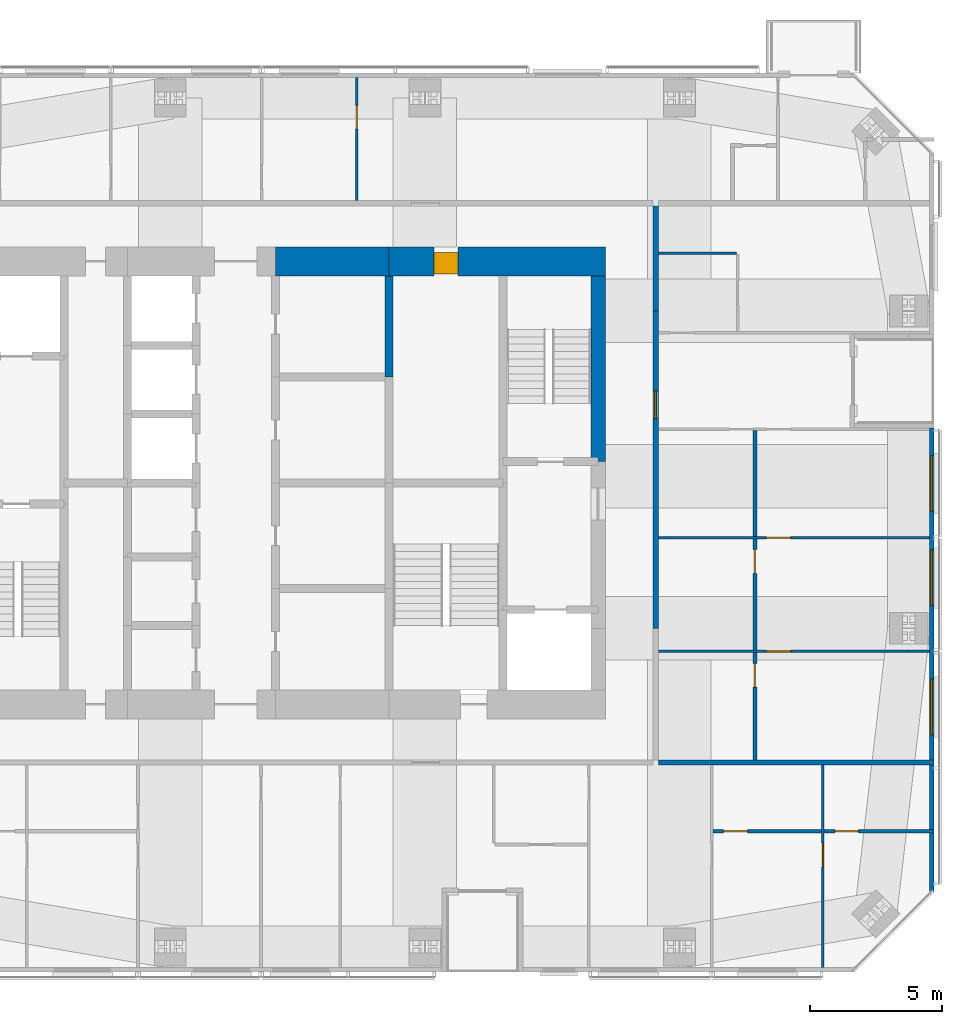
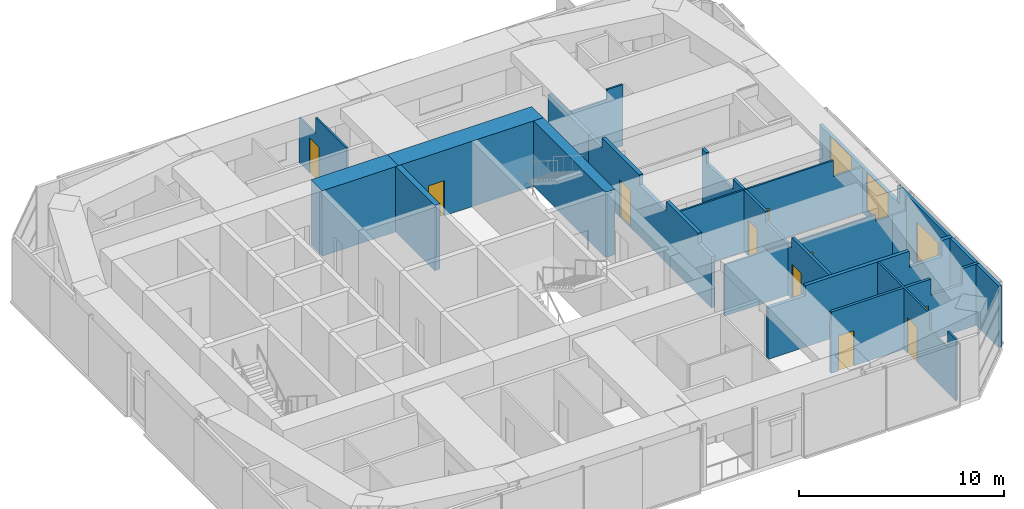
# One storey, part 17 of 20: 19 walls, 10 doors, 3 windows, 13 openings.
"""IFC4 building model written with IfcOpenShell, lengths in metres."""

import ifcopenshell
import ifcopenshell.guid

model = None  # the IFC model being written
_history = None  # IfcOwnerHistory: only IFC2X3 demands one
_inside = {}  # id of a spatial element -> (the spatial element, [elements in it])
_under = {}  # id of a project, library or spatial element -> (it, [spatial elements below it])
_declared = {}  # id of a project -> (the project, [libraries it declares])
_typed = {}  # id of a type object -> (the type object, [elements of that type])
_made_of = {}  # id of a material, layer set ... -> (it, [elements and type objects made of it])


def new_model(schema):
    """Start an empty IFC model of exactly this schema.

    Asked for "IFC4X3", IfcOpenShell would pick the latest addendum, in which some entities
    have other attributes; the version numbers below select the first issue.
    IFC2X3 requires an IfcOwnerHistory on every rooted entity: one is made here for all.
    """
    global model, _history
    if schema == "IFC4X3":
        model = ifcopenshell.file(schema_version=(4, 3, 0, 0))
    else:
        model = ifcopenshell.file(schema=schema)
    _inside.clear()
    _under.clear()
    _declared.clear()
    _typed.clear()
    _made_of.clear()
    _history = None
    if model.schema == "IFC2X3":
        org = make("IfcOrganization", Name="unknown")
        user = make(
            "IfcPersonAndOrganization",
            ThePerson=make("IfcPerson", FamilyName="unknown"),
            TheOrganization=org,
        )
        app = make(
            "IfcApplication",
            ApplicationDeveloper=org,
            Version="unknown",
            ApplicationFullName="unknown",
            ApplicationIdentifier="unknown",
        )
        _history = make(
            "IfcOwnerHistory",
            OwningUser=user,
            OwningApplication=app,
            ChangeAction="ADDED",
            CreationDate=0,
        )
    return model


def make(cls, **values):
    """One entity of the class cls with the attributes given. An attribute that is None is left unset."""
    return model.create_entity(
        cls, **{name: value for name, value in values.items() if value is not None}
    )


def rooted(cls, **values):
    """An entity with a GlobalId (a new one), such as an element, a storey or a relation."""
    return make(cls, GlobalId=ifcopenshell.guid.new(), OwnerHistory=_history, **values)


def si_unit(unit_type, name, prefix=None):
    """IfcSIUnit, for example si_unit("LENGTHUNIT", "METRE", prefix="MILLI")."""
    return make("IfcSIUnit", UnitType=unit_type, Prefix=prefix, Name=name)


def assignment(units):
    """IfcUnitAssignment: the units of a project."""
    return None if units is None else make("IfcUnitAssignment", Units=units)


def point(xyz):
    """IfcCartesianPoint."""
    return None if xyz is None else make("IfcCartesianPoint", Coordinates=xyz)


def direction(xyz):
    """IfcDirection."""
    return None if xyz is None else make("IfcDirection", DirectionRatios=xyz)


def frame(location, z_axis=None, x_axis=None):
    """IfcAxis2Placement3D, a coordinate frame: its origin and axes. An axis left out is left unset."""
    return make(
        "IfcAxis2Placement3D",
        Location=point(location),
        Axis=direction(z_axis),
        RefDirection=direction(x_axis),
    )


def frame_2d(location, x_axis=None):
    """IfcAxis2Placement2D, a coordinate frame in the plane: its origin and x axis."""
    return make(
        "IfcAxis2Placement2D", Location=point(location), RefDirection=direction(x_axis)
    )


def origin():
    """The frame at (0, 0, 0) with its axes left unset."""
    return frame((0.0, 0.0, 0.0))


def place(relative_to, where):
    """IfcLocalPlacement: puts the frame where relative to a parent placement (None: the world)."""
    return make(
        "IfcLocalPlacement", PlacementRelTo=relative_to, RelativePlacement=where
    )


def context(
    kind, dimensions, precision=None, world=None, true_north=None, identifier=None
):
    """IfcGeometricRepresentationContext, for example the 3D "Model" context."""
    return make(
        "IfcGeometricRepresentationContext",
        ContextIdentifier=identifier,
        ContextType=kind,
        CoordinateSpaceDimension=dimensions,
        Precision=precision,
        WorldCoordinateSystem=world,
        TrueNorth=true_north,
    )


def subcontext(parent, identifier, kind, view, scale=None):
    """IfcGeometricRepresentationSubContext, for example "Body" below "Model"."""
    return make(
        "IfcGeometricRepresentationSubContext",
        ContextIdentifier=identifier,
        ContextType=kind,
        ParentContext=parent,
        TargetScale=scale,
        TargetView=view,
    )


def project(units=None, contexts=None):
    """IfcProject with its units and contexts."""
    return rooted(
        "IfcProject",
        Name="project",
        RepresentationContexts=contexts,
        UnitsInContext=assignment(units),
    )


def spatial(cls, under=None, at=None, **own):
    """A site, building, storey or space (cls), placed at a placement, below another one or the project."""
    s = rooted(cls, ObjectPlacement=at, **own)
    if under is not None:
        _under.setdefault(under.id(), (under, []))[1].append(s)
    return s


def polyline(points):
    """IfcPolyline through the points."""
    return make("IfcPolyline", Points=[point(p) for p in points])


def profile(cls, at=None, kind="AREA", **sizes):
    """A parametric profile (cls). Its sizes go by their IFC names, for example OverallWidth=200.0."""
    return make(cls, ProfileType=kind, Position=at, **sizes)


def rectangle(**sizes):
    """IfcRectangleProfileDef."""
    return profile("IfcRectangleProfileDef", **sizes)


def outline(outer, holes=None, kind="AREA"):
    """IfcArbitraryClosedProfileDef: a profile drawn as a closed curve; with holes, ...WithVoids."""
    if holes is None:
        return make("IfcArbitraryClosedProfileDef", ProfileType=kind, OuterCurve=outer)
    return make(
        "IfcArbitraryProfileDefWithVoids",
        ProfileType=kind,
        OuterCurve=outer,
        InnerCurves=holes,
    )


def extrude(swept, where, along, depth):
    """IfcExtrudedAreaSolid: the profile swept, set in the frame where, extruded along a direction by depth."""
    return make(
        "IfcExtrudedAreaSolid",
        SweptArea=swept,
        Position=where,
        ExtrudedDirection=direction(along),
        Depth=depth,
    )


def shape(context_of_items, identifier, shape_type, items):
    """IfcShapeRepresentation: the items that make up one representation, for example the "Body"."""
    return make(
        "IfcShapeRepresentation",
        ContextOfItems=context_of_items,
        RepresentationIdentifier=identifier,
        RepresentationType=shape_type,
        Items=items,
    )


def material(Name=None, Category=None):
    """IfcMaterial."""
    return make("IfcMaterial", Name=Name, Category=Category)


def layer(
    of_material, thickness, ventilated=None, Name=None, Category=None, Priority=None
):
    """IfcMaterialLayer: one layer of a wall or slab, of a material (None: an air gap)."""
    return make(
        "IfcMaterialLayer",
        Material=of_material,
        LayerThickness=thickness,
        IsVentilated=ventilated,
        Name=Name,
        Category=Category,
        Priority=Priority,
    )


def layer_set(layers, Name=None):
    """IfcMaterialLayerSet."""
    return make("IfcMaterialLayerSet", MaterialLayers=layers, LayerSetName=Name)


def constituent(of_material, Name=None, Category=None, fraction=None):
    """IfcMaterialConstituent: one of the materials an element consists of."""
    return make(
        "IfcMaterialConstituent",
        Name=Name,
        Material=of_material,
        Fraction=fraction,
        Category=Category,
    )


def constituent_set(constituents=None, Name=None):
    """IfcMaterialConstituentSet."""
    return make(
        "IfcMaterialConstituentSet", Name=Name, MaterialConstituents=constituents
    )


def made_of(thing, what):
    """Note that an element or type object is made of a material, layer set ...; save() writes the relation."""
    if what is not None:
        _made_of.setdefault(what.id(), (what, []))[1].append(thing)
    return thing


def type_object(cls, material=None, **own):
    """A type object (cls), such as IfcWallType, which elements share."""
    return made_of(rooted(cls, **own), material)


def element(
    cls,
    number,
    at=None,
    inside=None,
    cuts=None,
    type_object=None,
    material=None,
    context=None,
    identifier="Body",
    shape_type=None,
    held_by="IfcProductDefinitionShape",
    body=None,
    shapes=None,
    **own,
):
    """One element of the class cls, such as IfcWall. Its Tag is "e" and its number.

    at: its placement. inside: the storey or other place that contains it. cuts: it is an
    opening in that element (IfcRelVoidsElement). A single representation is given by context,
    identifier, shape_type and body (its items); several are given by shapes. held_by: the class
    of the entity that holds the representations. save() writes the other relations.
    """
    e = rooted(cls, Tag="e%d" % number, ObjectPlacement=at, **own)
    if body is not None:
        shapes = [shape(context, identifier, shape_type, body)]
    if shapes is not None:
        e.Representation = make(held_by, Representations=shapes)
    if inside is not None:
        _inside.setdefault(inside.id(), (inside, []))[1].append(e)
    if cuts is not None:
        rooted(
            "IfcRelVoidsElement", RelatingBuildingElement=cuts, RelatedOpeningElement=e
        )
    if type_object is not None:
        _typed.setdefault(type_object.id(), (type_object, []))[1].append(e)
    return made_of(e, material)


def fill(opening, filler):
    """IfcRelFillsElement: the door or window that sits in an opening."""
    return rooted(
        "IfcRelFillsElement",
        RelatingOpeningElement=opening,
        RelatedBuildingElement=filler,
    )


def aggregate(whole, parts):
    """IfcRelAggregates: a whole, such as a stair, and the parts it consists of."""
    return rooted("IfcRelAggregates", RelatingObject=whole, RelatedObjects=parts)


def save(model, path):
    """Write the relations noted so far, then the file.

    IfcRelAggregates (storeys below a building ...), IfcRelContainedInSpatialStructure (elements
    in a storey), IfcRelDefinesByType, IfcRelAssociatesMaterial and IfcRelDeclares: one each for
    every whole, place, type object, material and project.
    """
    for whole, parts in _under.values():
        aggregate(whole, parts)
    for where, things in _inside.values():
        rooted(
            "IfcRelContainedInSpatialStructure",
            RelatedElements=things,
            RelatingStructure=where,
        )
    for kind, things in _typed.values():
        rooted("IfcRelDefinesByType", RelatedObjects=things, RelatingType=kind)
    for what, things in _made_of.values():
        rooted("IfcRelAssociatesMaterial", RelatedObjects=things, RelatingMaterial=what)
    for by, libraries in _declared.values():
        rooted("IfcRelDeclares", RelatingContext=by, RelatedDefinitions=libraries)
    model.write(path)


model = new_model("IFC4")

# Units and contexts
model_context = context("Model", 3, precision=1e-05, world=origin(), true_north=direction((0.0, 1.0)))
body_context = subcontext(model_context, "Body", "Model", "MODEL_VIEW")
ifc_project = project(units=[si_unit("LENGTHUNIT", "METRE"), si_unit("AREAUNIT", "SQUARE_METRE"), si_unit("VOLUMEUNIT", "CUBIC_METRE"), si_unit("PLANEANGLEUNIT", "RADIAN"), si_unit("MASSUNIT", "GRAM", prefix="KILO")], contexts=[model_context])

# Site, building, storey
site_placement = place(None, origin())
site = spatial("IfcSite", under=ifc_project, at=site_placement, CompositionType="ELEMENT")
building_placement = place(site_placement, origin())
building = spatial("IfcBuilding", under=site, at=building_placement, Name="Jalousie Tower", CompositionType="ELEMENT")
storey_placement = place(building_placement, frame((0.0, 0.0, 259.949951171875)))
storey = spatial("IfcBuildingStorey", under=building, at=storey_placement, Name="L71", CompositionType="ELEMENT", Elevation=259.949951171875)

# Wall, opening, door
ifc_material_1 = material(Name="Concrete block ASTM C90", Category="concrete")
ifc_constituent_1 = constituent(ifc_material_1, Name="Body")
ifc_material_2 = material(Name="Render")
ifc_constituent_2 = constituent(ifc_material_2, Name="Finish")
ifc_constituent_set_1 = constituent_set(constituents=[ifc_constituent_1, ifc_constituent_2])
wall_type_1 = type_object("IfcWallType", Name="BATHROOM WALL 150", PredefinedType="PLUMBINGWALL", material=ifc_constituent_set_1)
wall_1_placement = place(storey_placement, frame((48.14990234375, 5.324951171875, 0.0), z_axis=(0.0, 0.0, 1.0), x_axis=(1.0, 0.0, 0.0)))
wall_1 = element("IfcWall", 1, at=wall_1_placement, inside=storey, type_object=wall_type_1, Name="Bathroom Wall 150 L71", PredefinedType="PLUMBINGWALL", context=body_context, shape_type="SweptSolid", body=[
    extrude(outline(polyline([(0.0, 0.0), (4.10009765625, 0.0), (4.10009765625, 3.66015625), (0.010009765625, 3.66015625), (0.010009765625, 3.06005859375), (0.0, 3.06005859375), (0.0, 3.66015625), (0.0, 0.0)])), frame((0.0, 0.074951171875, 0.0), z_axis=(0.0, -1.0, 0.0), x_axis=(1.0, 0.0, 0.0)), (0.0, 0.0, 1.0), 0.14990234375),
])
opening_1_placement = place(wall_1_placement, frame((0.39990234375, 0.0, 0.0)))
opening_1 = element("IfcOpeningElement", 2, at=opening_1_placement, cuts=wall_1, Name="Opening D3", PredefinedType="OPENING", context=body_context, shape_type="SweptSolid", body=[
    extrude(rectangle(XDim=0.89990234375, YDim=2.10009765625, at=frame_2d((0.449951171875, 1.050048828125))), frame((0.0, 0.0849609375, 0.0), z_axis=(0.0, -1.0, 0.0), x_axis=(1.0, 0.0, 0.0)), (0.0, 0.0, 1.0), 0.169921875),
])
ifc_material_3 = material(Name="Timber door", Category="wood")
door_type_1 = type_object("IfcDoorType", Name="BATHROOM DOOR 900", OperationType="SINGLE_SWING_LEFT", PredefinedType="DOOR", material=ifc_material_3)
door_1_placement = place(opening_1_placement, origin())
door_1 = element("IfcDoor", 3, at=door_1_placement, inside=storey, type_object=door_type_1, Name="Apartment 7101 bedroom 3 bathroom door", OperationType="SINGLE_SWING_LEFT", OverallHeight=2.10009765625, OverallWidth=0.89990234375, PredefinedType="DOOR", context=body_context, shape_type="SweptSolid", body=[
    extrude(rectangle(XDim=0.89990234375, YDim=2.10009765625, at=frame_2d((0.449951171875, 1.050048828125))), frame((0.0, 0.02490234375, 0.0), z_axis=(0.0, -1.0, 0.0), x_axis=(1.0, 0.0, 0.0)), (0.0, 0.0, 1.0), 0.050048828125),
])
fill(opening_1, door_1)

wall_2_placement = place(storey_placement, frame((52.35009765625, 5.324951171875, 0.0), z_axis=(0.0, 0.0, 1.0), x_axis=(1.0, 0.0, 0.0)))
wall_2 = element("IfcWall", 4, at=wall_2_placement, inside=storey, type_object=wall_type_1, Name="Bathroom Wall 150 L71", PredefinedType="PLUMBINGWALL", context=body_context, shape_type="SweptSolid", body=[
    extrude(outline(polyline([(0.0, 0.0), (4.14990234375, 0.0), (4.14990234375, 3.66015625), (3.197021484375, 3.66015625), (3.197021484375, 2.699951171875), (1.4150390625, 2.699951171875), (1.4150390625, 3.66015625), (0.0, 3.66015625), (0.0, 0.0)])), frame((0.0, 0.074951171875, 0.0), z_axis=(0.0, -1.0, 0.0), x_axis=(1.0, 0.0, 0.0)), (0.0, 0.0, 1.0), 0.14990234375),
])
opening_2_placement = place(wall_2_placement, frame((0.39990234375, 0.0, 0.0)))
opening_2 = element("IfcOpeningElement", 5, at=opening_2_placement, cuts=wall_2, Name="Opening D3", PredefinedType="OPENING", context=body_context, shape_type="SweptSolid", body=[
    extrude(rectangle(XDim=0.89990234375, YDim=2.10009765625, at=frame_2d((0.449951171875, 1.050048828125))), frame((0.0, 0.0849609375, 0.0), z_axis=(0.0, -1.0, 0.0), x_axis=(1.0, 0.0, 0.0)), (0.0, 0.0, 1.0), 0.169921875),
])
door_2_placement = place(opening_2_placement, origin())
door_2 = element("IfcDoor", 6, at=door_2_placement, inside=storey, type_object=door_type_1, Name="Apartment 7101 bedroom 4 bathroom door", OperationType="SINGLE_SWING_LEFT", OverallHeight=2.10009765625, OverallWidth=0.89990234375, PredefinedType="DOOR", context=body_context, shape_type="SweptSolid", body=[
    extrude(rectangle(XDim=0.89990234375, YDim=2.10009765625, at=frame_2d((0.449951171875, 1.050048828125))), frame((0.0, 0.02490234375, 0.0), z_axis=(0.0, -1.0, 0.0), x_axis=(1.0, 0.0, 0.0)), (0.0, 0.0, 1.0), 0.050048828125),
])
fill(opening_2, door_2)

wall_3_placement = place(storey_placement, frame((49.72509765625, 8.02490234375, 0.0), z_axis=(0.0, 0.0, 1.0), x_axis=(0.0, 1.0, 0.0)))
wall_3 = element("IfcWall", 7, at=wall_3_placement, inside=storey, type_object=wall_type_1, Name="Bathroom Wall 150 L71", PredefinedType="PLUMBINGWALL", context=body_context, shape_type="SweptSolid", body=[
    extrude(outline(polyline([(0.0, 0.0), (4.050048828125, 0.0), (4.050048828125, 3.66015625), (4.050048828125, 3.06005859375), (3.68994140625, 3.06005859375), (3.68994140625, 3.66015625), (0.0, 3.66015625), (0.0, 0.0)])), frame((0.0, 0.074951171875, 0.0), z_axis=(0.0, -1.0, 0.0), x_axis=(1.0, 0.0, 0.0)), (0.0, 0.0, 1.0), 0.14990234375),
])
opening_3_placement = place(wall_3_placement, frame((2.75, 0.0, 0.0)))
opening_3 = element("IfcOpeningElement", 8, at=opening_3_placement, cuts=wall_3, Name="Opening D3", PredefinedType="OPENING", context=body_context, shape_type="SweptSolid", body=[
    extrude(rectangle(XDim=0.89990234375, YDim=2.10009765625, at=frame_2d((0.449951171875, 1.050048828125))), frame((0.0, 0.0849609375, 0.0), z_axis=(0.0, -1.0, 0.0), x_axis=(1.0, 0.0, 0.0)), (0.0, 0.0, 1.0), 0.169921875),
])
door_3_placement = place(opening_3_placement, origin())
door_3 = element("IfcDoor", 9, at=door_3_placement, inside=storey, type_object=door_type_1, Name="Apartment 7103 bedroom 1 bathroom door", OperationType="SINGLE_SWING_RIGHT", OverallHeight=2.10009765625, OverallWidth=0.89990234375, PredefinedType="DOOR", context=body_context, shape_type="SweptSolid", body=[
    extrude(rectangle(XDim=0.89990234375, YDim=2.10009765625, at=frame_2d((0.449951171875, 1.050048828125))), frame((0.0, 0.02490234375, 0.0), z_axis=(0.0, -1.0, 0.0), x_axis=(1.0, 0.0, 0.0)), (0.0, 0.0, 1.0), 0.050048828125),
])
fill(opening_3, door_3)

wall_4_placement = place(storey_placement, frame((49.72509765625, 12.175048828125, 0.0), z_axis=(0.0, 0.0, 1.0), x_axis=(0.0, 1.0, 0.0)))
wall_4 = element("IfcWall", 10, at=wall_4_placement, inside=storey, type_object=wall_type_1, Name="Bathroom Wall 150 L71", PredefinedType="PLUMBINGWALL", context=body_context, shape_type="SweptSolid", body=[
    extrude(outline(polyline([(0.0, 0.0), (4.199951171875, 0.0), (4.199951171875, 3.66015625), (2.110107421875, 3.66015625), (2.110107421875, 3.06005859375), (0.0, 3.06005859375), (0.0, 3.66015625), (0.0, 0.0)])), frame((0.0, 0.074951171875, 0.0), z_axis=(0.0, -1.0, 0.0), x_axis=(1.0, 0.0, 0.0)), (0.0, 0.0, 1.0), 0.14990234375),
])
opening_4_placement = place(wall_4_placement, frame((2.89990234375, 0.0, 0.0)))
opening_4 = element("IfcOpeningElement", 11, at=opening_4_placement, cuts=wall_4, Name="Opening D3", PredefinedType="OPENING", context=body_context, shape_type="SweptSolid", body=[
    extrude(rectangle(XDim=0.89990234375, YDim=2.10009765625, at=frame_2d((0.449951171875, 1.050048828125))), frame((0.0, 0.0849609375, 0.0), z_axis=(0.0, -1.0, 0.0), x_axis=(1.0, 0.0, 0.0)), (0.0, 0.0, 1.0), 0.169921875),
])
door_4_placement = place(opening_4_placement, origin())
door_4 = element("IfcDoor", 12, at=door_4_placement, inside=storey, type_object=door_type_1, Name="Apartment 7103 bedroom 2 bathroom door", OperationType="SINGLE_SWING_RIGHT", OverallHeight=2.10009765625, OverallWidth=0.89990234375, PredefinedType="DOOR", context=body_context, shape_type="SweptSolid", body=[
    extrude(rectangle(XDim=0.89990234375, YDim=2.10009765625, at=frame_2d((0.449951171875, 1.050048828125))), frame((0.0, 0.02490234375, 0.0), z_axis=(0.0, -1.0, 0.0), x_axis=(1.0, 0.0, 0.0)), (0.0, 0.0, 1.0), 0.050048828125),
])
fill(opening_4, door_4)

# Wall
wall_5_placement = place(storey_placement, frame((49.72509765625, 16.47509765625, 0.0), z_axis=(0.0, 0.0, 1.0), x_axis=(0.0, 1.0, 0.0)))
element("IfcWall", 13, at=wall_5_placement, inside=storey, type_object=wall_type_1, Name="Bathroom Wall 150 L71", PredefinedType="PLUMBINGWALL", context=body_context, shape_type="SweptSolid", body=[
    extrude(outline(polyline([(0.0, 0.0), (4.0, 0.0), (4.0, 3.66015625), (3.56005859375, 3.66015625), (3.56005859375, 3.06005859375), (0.989990234375, 3.06005859375), (0.989990234375, 3.66015625), (0.0, 3.66015625), (0.0, 0.0)])), frame((0.0, 0.074951171875, 0.0), z_axis=(0.0, -1.0, 0.0), x_axis=(1.0, 0.0, 0.0)), (0.0, 0.0, 1.0), 0.14990234375),
])

# Wall, opening, door
ifc_material_4 = material(Name="Concrete f'c 120 MPa", Category="concrete")
ifc_layer_1 = layer(ifc_material_4, 1.10009765625)
ifc_layer_set_1 = layer_set([ifc_layer_1], Name="Concrete f'c 120 MPa")
wall_type_2 = type_object("IfcWallType", Name="CORE WALL 1100", PredefinedType="SHEAR", material=ifc_layer_set_1)
wall_6_placement = place(storey_placement, frame((44.074951171875, 26.875, 0.0), z_axis=(0.0, 0.0, 1.0), x_axis=(-1.0, 0.0, 0.0)))
wall_6 = element("IfcWall", 14, at=wall_6_placement, inside=storey, type_object=wall_type_2, Name="Core wall NA L71", PredefinedType="SHEAR", context=body_context, shape_type="SweptSolid", body=[
    extrude(rectangle(XDim=8.175048828125, YDim=1.10009765625, at=frame_2d((4.08740234375, 0.0))), origin(), (0.0, 0.0, 1.0), 3.900146484375),
])
opening_5_placement = place(wall_6_placement, frame((5.574951171875, 0.0, 0.0)))
opening_5 = element("IfcOpeningElement", 15, at=opening_5_placement, cuts=wall_6, Name="Opening D18", PredefinedType="OPENING", context=body_context, shape_type="SweptSolid", body=[
    extrude(rectangle(XDim=0.89990234375, YDim=2.10009765625, at=frame_2d((0.449951171875, 1.050048828125))), frame((0.0, 0.56005859375, 0.0), z_axis=(0.0, -1.0, 0.0), x_axis=(1.0, 0.0, 0.0)), (0.0, 0.0, 1.0), 1.1201171875),
])
ifc_material_5 = material(Name="Steel fire door", Category="steel")
door_type_2 = type_object("IfcDoorType", Name="CLEANER'S STORE DOOR 900", OperationType="SINGLE_SWING_LEFT", PredefinedType="DOOR", material=ifc_material_5)
door_5_placement = place(opening_5_placement, origin())
door_5 = element("IfcDoor", 16, at=door_5_placement, inside=storey, type_object=door_type_2, Name="Cleaner's store door", OperationType="SINGLE_SWING_LEFT", OverallHeight=2.10009765625, OverallWidth=0.89990234375, PredefinedType="DOOR", context=body_context, shape_type="SweptSolid", body=[
    extrude(rectangle(XDim=0.89990234375, YDim=2.10009765625, at=frame_2d((0.449951171875, 1.050048828125))), frame((0.0, 0.47021484375, 0.0), z_axis=(0.0, -1.0, 0.0), x_axis=(1.0, 0.0, 0.0)), (0.0, 0.0, 1.0), 0.800048828125),
])
fill(opening_5, door_5)

# Walls
wall_7_placement = place(storey_placement, frame((35.89990234375, 26.875, 0.0), z_axis=(0.0, 0.0, 1.0), x_axis=(-1.0, 0.0, 0.0)))
element("IfcWall", 17, at=wall_7_placement, inside=storey, type_object=wall_type_2, Name="Core wall NB L71", PredefinedType="SHEAR", context=body_context, shape_type="SweptSolid", body=[
    extrude(rectangle(XDim=4.2998046875, YDim=1.10009765625, at=frame_2d((2.14990234375, 0.0))), origin(), (0.0, 0.0, 1.0), 3.900146484375),
])
ifc_material_6 = material(Name="Concrete f'c 120 MPa", Category="concrete")
ifc_layer_2 = layer(ifc_material_6, 0.300048828125)
ifc_layer_set_2 = layer_set([ifc_layer_2], Name="Concrete f'c 120 MPa")
wall_type_3 = type_object("IfcWallType", Name="CORE WALL 300", PredefinedType="SHEAR", material=ifc_layer_set_2)
wall_8_placement = place(storey_placement, frame((35.89990234375, 22.5, 0.0), z_axis=(0.0, 0.0, 1.0), x_axis=(0.0, 1.0, 0.0)))
element("IfcWall", 18, at=wall_8_placement, inside=storey, type_object=wall_type_3, Name="Core wall X35.9D L71", PredefinedType="SHEAR", context=body_context, shape_type="SweptSolid", body=[
    extrude(rectangle(XDim=3.824951171875, YDim=0.300048828125, at=frame_2d((1.91259765625, 0.0))), origin(), (0.0, 0.0, 1.0), 3.900146484375),
])
ifc_material_7 = material(Name="Concrete f'c 120 MPa", Category="concrete")
ifc_layer_3 = layer(ifc_material_7, 0.550048828125)
ifc_layer_set_3 = layer_set([ifc_layer_3], Name="Concrete f'c 120 MPa")
wall_type_4 = type_object("IfcWallType", Name="CORE WALL 550", PredefinedType="SHEAR", material=ifc_layer_set_3)
wall_9_placement = place(storey_placement, frame((43.800048828125, 19.300048828125, 0.0), z_axis=(0.0, 0.0, 1.0), x_axis=(0.0, 1.0, 0.0)))
element("IfcWall", 19, at=wall_9_placement, inside=storey, type_object=wall_type_4, Name="Core wall EC L71", PredefinedType="SHEAR", context=body_context, shape_type="SweptSolid", body=[
    extrude(rectangle(XDim=7.02490234375, YDim=0.550048828125, at=frame_2d((3.512451171875, 0.0))), origin(), (0.0, 0.0, 1.0), 3.900146484375),
])

# Wall, opening, door
ifc_material_8 = material(Name="Concrete block ASTM C90", Category="concrete")
ifc_constituent_3 = constituent(ifc_material_8, Name="Body")
ifc_material_9 = material(Name="Render")
ifc_constituent_4 = constituent(ifc_material_9, Name="Finish")
ifc_constituent_set_2 = constituent_set(constituents=[ifc_constituent_3, ifc_constituent_4])
wall_type_5 = type_object("IfcWallType", Name="CORRIDOR WALL 200", PredefinedType="PARTITIONING", material=ifc_constituent_set_2)
wall_10_placement = place(storey_placement, frame((45.97509765625, 13.0, 0.0), z_axis=(0.0, 0.0, 1.0), x_axis=(0.0, 1.0, 0.0)))
wall_10 = element("IfcWall", 20, at=wall_10_placement, inside=storey, type_object=wall_type_5, Name="Corridor Wall 200 L71-B", PredefinedType="PARTITIONING", context=body_context, shape_type="SweptSolid", body=[
    extrude(outline(polyline([(0.0, 0.0), (12.0, 0.0), (12.0, 3.06005859375), (10.68994140625, 3.06005859375), (10.68994140625, 3.66015625), (7.06005859375, 3.66015625), (7.06005859375, 3.06005859375), (4.43994140625, 3.06005859375), (4.43994140625, 3.66015625), (1.31005859375, 3.66015625), (1.31005859375, 3.06005859375), (0.0, 3.06005859375), (0.0, 0.0)])), frame((0.0, 0.10009765625, 0.0), z_axis=(0.0, -1.0, 0.0), x_axis=(1.0, 0.0, 0.0)), (0.0, 0.0, 1.0), 0.199951171875),
])
opening_6_placement = place(wall_10_placement, frame((7.925048828125, 0.0, 0.0)))
opening_6 = element("IfcOpeningElement", 21, at=opening_6_placement, cuts=wall_10, Name="Opening D1", PredefinedType="OPENING", context=body_context, shape_type="SweptSolid", body=[
    extrude(rectangle(XDim=1.050048828125, YDim=2.199951171875, at=frame_2d((0.52490234375, 1.10009765625))), frame((0.0, 0.10986328125, 0.0), z_axis=(0.0, -1.0, 0.0), x_axis=(1.0, 0.0, 0.0)), (0.0, 0.0, 1.0), 0.219970703125),
])
ifc_material_10 = material(Name="Timber fire door", Category="wood")
door_type_3 = type_object("IfcDoorType", Name="APARTMENT ENTRANCE DOOR 1050", OperationType="SINGLE_SWING_LEFT", PredefinedType="DOOR", material=ifc_material_10)
door_6_placement = place(opening_6_placement, frame((1.050048828125, 0.0, 0.0), z_axis=(0.0, 0.0, 1.0), x_axis=(-1.0, 0.0, 0.0)))
door_6 = element("IfcDoor", 22, at=door_6_placement, inside=storey, type_object=door_type_3, Name="Apartment 7103 entrance", OperationType="SINGLE_SWING_RIGHT", OverallHeight=2.199951171875, OverallWidth=1.050048828125, PredefinedType="DOOR", context=body_context, shape_type="SweptSolid", body=[
    extrude(rectangle(XDim=1.050048828125, YDim=2.199951171875, at=frame_2d((0.52490234375, 1.10009765625))), frame((0.0, 0.02490234375, 0.0), z_axis=(0.0, -1.0, 0.0), x_axis=(1.0, 0.0, 0.0)), (0.0, 0.0, 1.0), 0.050048828125),
])
fill(opening_6, door_6)

# Wall
wall_11_placement = place(storey_placement, frame((45.97509765625, 25.0, 0.0), z_axis=(0.0, 0.0, 1.0), x_axis=(0.0, 1.0, 0.0)))
element("IfcWall", 23, at=wall_11_placement, inside=storey, type_object=wall_type_5, Name="Corridor Wall 200 L71-C", PredefinedType="PARTITIONING", context=body_context, shape_type="SweptSolid", body=[
    extrude(rectangle(XDim=3.97509765625, YDim=0.199951171875, at=frame_2d((1.987548828125, 0.0))), origin(), (0.0, 0.0, 1.0), 3.06005859375),
])

# Wall, openings, windows
ifc_material_11 = material(Name="Concrete f'c 40 MPa", Category="concrete")
ifc_constituent_5 = constituent(ifc_material_11, Name="Body")
ifc_material_12 = material(Name="Render, pastel sky blue")
ifc_constituent_6 = constituent(ifc_material_12, Name="Finish")
ifc_constituent_set_3 = constituent_set(constituents=[ifc_constituent_5, ifc_constituent_6])
wall_type_6 = type_object("IfcWallType", Name="EXTERNAL WALL 175 SKY BLUE RENDER", PredefinedType="SOLIDWALL", material=ifc_constituent_set_3)
wall_12_placement = place(storey_placement, frame((56.41259765625, 3.05126953125, 0.0), z_axis=(0.0, 0.0, 1.0), x_axis=(0.0, 1.0, 0.0)))
wall_12 = element("IfcWall", 24, at=wall_12_placement, inside=storey, type_object=wall_type_6, Name="External Wall 175 Sky Blue Render L71", PredefinedType="SOLIDWALL", context=body_context, shape_type="SweptSolid", body=[
    extrude(outline(polyline([(0.0, 0.0), (17.523681640625, 0.0), (17.523681640625, 2.699951171875), (9.94873046875, 2.699951171875), (9.94873046875, 3.66015625), (9.8583984375, 3.66015625), (9.8583984375, 2.699951171875), (9.6875, 2.699951171875), (9.6875, 3.66015625), (0.0, 3.66015625), (0.0, 0.0)])), frame((0.0, 0.08740234375, 0.0), z_axis=(0.0, -1.0, 0.0), x_axis=(1.0, 0.0, 0.0)), (0.0, 0.0, 1.0), 0.175048828125),
])
opening_7_placement = place(wall_12_placement, frame((5.923583984375, 0.0, 0.39990234375)))
opening_7 = element("IfcOpeningElement", 25, at=opening_7_placement, cuts=wall_12, Name="Opening W-BEDPH225", PredefinedType="OPENING", context=body_context, shape_type="SweptSolid", body=[
    extrude(rectangle(XDim=2.10009765625, YDim=2.25, at=frame_2d((1.050048828125, 1.125))), frame((0.0, 0.097412109375, 0.0), z_axis=(0.0, -1.0, 0.0), x_axis=(1.0, 0.0, 0.0)), (0.0, 0.0, 1.0), 0.195068359375),
])
opening_8_placement = place(wall_12_placement, frame((10.8037109375, 0.0, 0.39990234375)))
opening_8 = element("IfcOpeningElement", 26, at=opening_8_placement, cuts=wall_12, Name="Opening W-BEDPH225", PredefinedType="OPENING", context=body_context, shape_type="SweptSolid", body=[
    extrude(rectangle(XDim=2.10009765625, YDim=2.25, at=frame_2d((1.050048828125, 1.125))), frame((0.0, 0.097412109375, 0.0), z_axis=(0.0, -1.0, 0.0), x_axis=(1.0, 0.0, 0.0)), (0.0, 0.0, 1.0), 0.195068359375),
])
opening_9_placement = place(wall_12_placement, frame((14.373779296875, 0.0, 0.39990234375)))
opening_9 = element("IfcOpeningElement", 27, at=opening_9_placement, cuts=wall_12, Name="Opening W-BEDPH225", PredefinedType="OPENING", context=body_context, shape_type="SweptSolid", body=[
    extrude(rectangle(XDim=2.10009765625, YDim=2.25, at=frame_2d((1.050048828125, 1.125))), frame((0.0, 0.097412109375, 0.0), z_axis=(0.0, -1.0, 0.0), x_axis=(1.0, 0.0, 0.0)), (0.0, 0.0, 1.0), 0.195068359375),
])
ifc_material_13 = material(Name="Aluminium frame, impact-rated glazing", Category="aluminium")
window_type = type_object("IfcWindowType", Name="WINDOW BEDPH 2100x2250", PartitioningType="DOUBLE_PANEL_VERTICAL", PredefinedType="WINDOW", material=ifc_material_13)
window_1_placement = place(opening_7_placement, origin())
window_1 = element("IfcWindow", 28, at=window_1_placement, inside=storey, type_object=window_type, Name="Apartment 7103 bedroom 1 window", OverallHeight=2.25, OverallWidth=2.10009765625, PartitioningType="SINGLE_PANEL", PredefinedType="WINDOW", context=body_context, shape_type="SweptSolid", body=[
    extrude(rectangle(XDim=2.10009765625, YDim=2.25, at=frame_2d((1.050048828125, 1.125))), frame((0.0, 0.030029296875, 0.0), z_axis=(0.0, -1.0, 0.0), x_axis=(1.0, 0.0, 0.0)), (0.0, 0.0, 1.0), 0.06005859375),
])
fill(opening_7, window_1)
window_2_placement = place(opening_8_placement, origin())
window_2 = element("IfcWindow", 29, at=window_2_placement, inside=storey, type_object=window_type, Name="Apartment 7103 bedroom 2 window", OverallHeight=2.25, OverallWidth=2.10009765625, PartitioningType="SINGLE_PANEL", PredefinedType="WINDOW", context=body_context, shape_type="SweptSolid", body=[
    extrude(rectangle(XDim=2.10009765625, YDim=2.25, at=frame_2d((1.050048828125, 1.125))), frame((0.0, 0.030029296875, 0.0), z_axis=(0.0, -1.0, 0.0), x_axis=(1.0, 0.0, 0.0)), (0.0, 0.0, 1.0), 0.06005859375),
])
fill(opening_8, window_2)
window_3_placement = place(opening_9_placement, origin())
window_3 = element("IfcWindow", 30, at=window_3_placement, inside=storey, type_object=window_type, Name="Apartment 7103 bedroom 3 window", OverallHeight=2.25, OverallWidth=2.10009765625, PartitioningType="SINGLE_PANEL", PredefinedType="WINDOW", context=body_context, shape_type="SweptSolid", body=[
    extrude(rectangle(XDim=2.10009765625, YDim=2.25, at=frame_2d((1.050048828125, 1.125))), frame((0.0, 0.030029296875, 0.0), z_axis=(0.0, -1.0, 0.0), x_axis=(1.0, 0.0, 0.0)), (0.0, 0.0, 1.0), 0.06005859375),
])
fill(opening_9, window_3)

# Wall, opening, door
ifc_material_14 = material(Name="Gypsum board", Category="gypsum")
ifc_constituent_7 = constituent(ifc_material_14, Name="Body")
ifc_material_15 = material(Name="Light-gauge steel studs ASTM A653 SS Grade 33", Category="steel")
ifc_constituent_8 = constituent(ifc_material_15, Name="Framing")
ifc_constituent_set_4 = constituent_set(constituents=[ifc_constituent_7, ifc_constituent_8])
wall_type_7 = type_object("IfcWallType", Name="PARTITION 100", PredefinedType="PARTITIONING", material=ifc_constituent_set_4)
wall_13_placement = place(storey_placement, frame((52.300048828125, 0.175048828125, 0.0), z_axis=(0.0, 0.0, 1.0), x_axis=(0.0, 1.0, 0.0)))
wall_13 = element("IfcWall", 31, at=wall_13_placement, inside=storey, type_object=wall_type_7, Name="Partition 100 L71", PredefinedType="PARTITIONING", context=body_context, shape_type="SweptSolid", body=[
    extrude(outline(polyline([(0.0, 0.0), (7.64990234375, 0.0), (7.64990234375, 3.66015625), (2.566650390625, 3.66015625), (2.566650390625, 2.699951171875), (0.822021484375, 2.699951171875), (0.822021484375, 3.66015625), (0.0, 3.66015625), (0.0, 0.0)])), frame((0.0, 0.050048828125, 0.0), z_axis=(0.0, -1.0, 0.0), x_axis=(1.0, 0.0, 0.0)), (0.0, 0.0, 1.0), 0.10009765625),
])
opening_10_placement = place(wall_13_placement, frame((3.800048828125, 0.0, 0.0)))
opening_10 = element("IfcOpeningElement", 32, at=opening_10_placement, cuts=wall_13, Name="Opening D2", PredefinedType="OPENING", context=body_context, shape_type="SweptSolid", body=[
    extrude(rectangle(XDim=0.89990234375, YDim=2.10009765625, at=frame_2d((0.449951171875, 1.050048828125))), frame((0.0, 0.06005859375, 0.0), z_axis=(0.0, -1.0, 0.0), x_axis=(1.0, 0.0, 0.0)), (0.0, 0.0, 1.0), 0.1201171875),
])
ifc_material_16 = material(Name="Timber door", Category="wood")
door_type_4 = type_object("IfcDoorType", Name="BEDROOM DOOR 900", OperationType="SINGLE_SWING_LEFT", PredefinedType="DOOR", material=ifc_material_16)
door_7_placement = place(opening_10_placement, origin())
door_7 = element("IfcDoor", 33, at=door_7_placement, inside=storey, type_object=door_type_4, Name="Apartment 7101 bedroom 4 door", OperationType="SINGLE_SWING_RIGHT", OverallHeight=2.10009765625, OverallWidth=0.89990234375, PredefinedType="DOOR", context=body_context, shape_type="SweptSolid", body=[
    extrude(rectangle(XDim=0.89990234375, YDim=2.10009765625, at=frame_2d((0.449951171875, 1.050048828125))), frame((0.0, 0.02490234375, 0.0), z_axis=(0.0, -1.0, 0.0), x_axis=(1.0, 0.0, 0.0)), (0.0, 0.0, 1.0), 0.050048828125),
])
fill(opening_10, door_7)

wall_14_placement = place(storey_placement, frame((34.675048828125, 33.824951171875, 0.0), z_axis=(0.0, 0.0, 1.0), x_axis=(0.0, -1.0, 0.0)))
wall_14 = element("IfcWall", 34, at=wall_14_placement, inside=storey, type_object=wall_type_7, Name="Partition 100 L71", PredefinedType="PARTITIONING", context=body_context, shape_type="SweptSolid", body=[
    extrude(outline(polyline([(0.0, 0.0), (4.64990234375, 0.0), (4.64990234375, 3.66015625), (1.635009765625, 3.66015625), (1.635009765625, 2.699951171875), (0.0, 2.699951171875), (0.0, 3.66015625), (0.0, 0.0)])), frame((0.0, 0.050048828125, 0.0), z_axis=(0.0, -1.0, 0.0), x_axis=(1.0, 0.0, 0.0)), (0.0, 0.0, 1.0), 0.10009765625),
])
opening_11_placement = place(wall_14_placement, frame((1.050048828125, 0.0, 0.0)))
opening_11 = element("IfcOpeningElement", 35, at=opening_11_placement, cuts=wall_14, Name="Opening D2", PredefinedType="OPENING", context=body_context, shape_type="SweptSolid", body=[
    extrude(rectangle(XDim=0.89990234375, YDim=2.10009765625, at=frame_2d((0.449951171875, 1.050048828125))), frame((0.0, 0.06005859375, 0.0), z_axis=(0.0, -1.0, 0.0), x_axis=(1.0, 0.0, 0.0)), (0.0, 0.0, 1.0), 0.1201171875),
])
door_8_placement = place(opening_11_placement, frame((0.89990234375, 0.0, 0.0), z_axis=(0.0, 0.0, 1.0), x_axis=(-1.0, 0.0, 0.0)))
door_8 = element("IfcDoor", 36, at=door_8_placement, inside=storey, type_object=door_type_4, Name="Apartment 7102 bedroom 4 door", OperationType="SINGLE_SWING_RIGHT", OverallHeight=2.10009765625, OverallWidth=0.89990234375, PredefinedType="DOOR", context=body_context, shape_type="SweptSolid", body=[
    extrude(rectangle(XDim=0.89990234375, YDim=2.10009765625, at=frame_2d((0.449951171875, 1.050048828125))), frame((0.0, 0.02490234375, 0.0), z_axis=(0.0, -1.0, 0.0), x_axis=(1.0, 0.0, 0.0)), (0.0, 0.0, 1.0), 0.050048828125),
])
fill(opening_11, door_8)

# Wall
wall_15_placement = place(storey_placement, frame((56.324951171875, 12.125, 0.0), z_axis=(0.0, 0.0, 1.0), x_axis=(-1.0, 0.0, 0.0)))
element("IfcWall", 37, at=wall_15_placement, inside=storey, type_object=wall_type_7, Name="Partition 100 L71-A", PredefinedType="PARTITIONING", context=body_context, shape_type="SweptSolid", body=[
    extrude(outline(polyline([(0.0, 0.0), (0.77490234375, 0.0), (0.77490234375, 2.699951171875), (0.010986328125, 2.699951171875), (0.010986328125, 3.66015625), (0.0, 3.66015625), (0.0, 0.0)])), frame((0.0, 0.050048828125, 0.0), z_axis=(0.0, -1.0, 0.0), x_axis=(1.0, 0.0, 0.0)), (0.0, 0.0, 1.0), 0.10009765625),
])

# Wall, opening, door
wall_16_placement = place(storey_placement, frame((55.550048828125, 12.125, 0.0), z_axis=(0.0, 0.0, 1.0), x_axis=(-1.0, 0.0, 0.0)))
wall_16 = element("IfcWall", 38, at=wall_16_placement, inside=storey, type_object=wall_type_7, Name="Partition 100 L71-B", PredefinedType="PARTITIONING", context=body_context, shape_type="SweptSolid", body=[
    extrude(outline(polyline([(0.0, 0.0), (9.47509765625, 0.0), (9.47509765625, 3.06005859375), (0.9677734375, 3.06005859375), (0.9677734375, 2.699951171875), (0.0, 2.699951171875), (0.0, 0.0)])), frame((0.0, 0.050048828125, 0.0), z_axis=(0.0, -1.0, 0.0), x_axis=(1.0, 0.0, 0.0)), (0.0, 0.0, 1.0), 0.10009765625),
])
opening_12_placement = place(wall_16_placement, frame((4.47509765625, 0.0, 0.0)))
opening_12 = element("IfcOpeningElement", 39, at=opening_12_placement, cuts=wall_16, Name="Opening D2", PredefinedType="OPENING", context=body_context, shape_type="SweptSolid", body=[
    extrude(rectangle(XDim=0.89990234375, YDim=2.10009765625, at=frame_2d((0.449951171875, 1.050048828125))), frame((0.0, 0.06005859375, 0.0), z_axis=(0.0, -1.0, 0.0), x_axis=(1.0, 0.0, 0.0)), (0.0, 0.0, 1.0), 0.1201171875),
])
door_9_placement = place(opening_12_placement, frame((0.89990234375, 0.0, 0.0), z_axis=(0.0, 0.0, 1.0), x_axis=(-1.0, 0.0, 0.0)))
door_9 = element("IfcDoor", 40, at=door_9_placement, inside=storey, type_object=door_type_4, Name="Apartment 7103 bedroom 1 door", OperationType="SINGLE_SWING_LEFT", OverallHeight=2.10009765625, OverallWidth=0.89990234375, PredefinedType="DOOR", context=body_context, shape_type="SweptSolid", body=[
    extrude(rectangle(XDim=0.89990234375, YDim=2.10009765625, at=frame_2d((0.449951171875, 1.050048828125))), frame((0.0, 0.02490234375, 0.0), z_axis=(0.0, -1.0, 0.0), x_axis=(1.0, 0.0, 0.0)), (0.0, 0.0, 1.0), 0.050048828125),
])
fill(opening_12, door_9)

wall_17_placement = place(storey_placement, frame((56.324951171875, 16.425048828125, 0.0), z_axis=(0.0, 0.0, 1.0), x_axis=(-1.0, 0.0, 0.0)))
wall_17 = element("IfcWall", 41, at=wall_17_placement, inside=storey, type_object=wall_type_7, Name="Partition 100 L71", PredefinedType="PARTITIONING", context=body_context, shape_type="SweptSolid", body=[
    extrude(outline(polyline([(0.0, 0.0), (10.25, 0.0), (10.25, 3.66015625), (1.635009765625, 3.66015625), (1.635009765625, 2.699951171875), (0.0, 2.699951171875), (0.0, 3.66015625), (0.0, 0.0)])), frame((0.0, 0.050048828125, 0.0), z_axis=(0.0, -1.0, 0.0), x_axis=(1.0, 0.0, 0.0)), (0.0, 0.0, 1.0), 0.10009765625),
])
opening_13_placement = place(wall_17_placement, frame((5.25, 0.0, 0.0)))
opening_13 = element("IfcOpeningElement", 42, at=opening_13_placement, cuts=wall_17, Name="Opening D2", PredefinedType="OPENING", context=body_context, shape_type="SweptSolid", body=[
    extrude(rectangle(XDim=0.89990234375, YDim=2.10009765625, at=frame_2d((0.449951171875, 1.050048828125))), frame((0.0, 0.06005859375, 0.0), z_axis=(0.0, -1.0, 0.0), x_axis=(1.0, 0.0, 0.0)), (0.0, 0.0, 1.0), 0.1201171875),
])
door_10_placement = place(opening_13_placement, origin())
door_10 = element("IfcDoor", 43, at=door_10_placement, inside=storey, type_object=door_type_4, Name="Apartment 7103 bedroom 2 door", OperationType="SINGLE_SWING_RIGHT", OverallHeight=2.10009765625, OverallWidth=0.89990234375, PredefinedType="DOOR", context=body_context, shape_type="SweptSolid", body=[
    extrude(rectangle(XDim=0.89990234375, YDim=2.10009765625, at=frame_2d((0.449951171875, 1.050048828125))), frame((0.0, 0.02490234375, 0.0), z_axis=(0.0, -1.0, 0.0), x_axis=(1.0, 0.0, 0.0)), (0.0, 0.0, 1.0), 0.050048828125),
])
fill(opening_13, door_10)

# Walls
wall_18_placement = place(storey_placement, frame((49.02490234375, 27.175048828125, 0.0), z_axis=(0.0, 0.0, 1.0), x_axis=(-1.0, 0.0, 0.0)))
element("IfcWall", 44, at=wall_18_placement, inside=storey, type_object=wall_type_7, Name="Partition 100 L71", PredefinedType="PARTITIONING", context=body_context, shape_type="SweptSolid", body=[
    extrude(outline(polyline([(0.0, 0.0), (2.949951171875, 0.0), (2.949951171875, 3.66015625), (2.949951171875, 3.06005859375), (0.889892578125, 3.06005859375), (0.889892578125, 3.66015625), (0.0, 3.66015625), (0.0, 0.0)])), frame((0.0, 0.050048828125, 0.0), z_axis=(0.0, -1.0, 0.0), x_axis=(1.0, 0.0, 0.0)), (0.0, 0.0, 1.0), 0.10009765625),
])
ifc_material_17 = material(Name="Concrete block ASTM C90", Category="concrete")
ifc_constituent_9 = constituent(ifc_material_17, Name="Body")
ifc_material_18 = material(Name="Render")
ifc_constituent_10 = constituent(ifc_material_18, Name="Finish")
ifc_constituent_set_5 = constituent_set(constituents=[ifc_constituent_9, ifc_constituent_10])
wall_type_8 = type_object("IfcWallType", Name="PARTY WALL 200", PredefinedType="PARTITIONING", material=ifc_constituent_set_5)
wall_19_placement = place(storey_placement, frame((46.074951171875, 7.925048828125, 0.0), z_axis=(0.0, 0.0, 1.0), x_axis=(1.0, 0.0, 0.0)))
element("IfcWall", 45, at=wall_19_placement, inside=storey, type_object=wall_type_8, Name="Party Wall 200 L71", PredefinedType="PARTITIONING", context=body_context, shape_type="SweptSolid", body=[
    extrude(outline(polyline([(0.0, 0.0), (10.425048828125, 0.0), (10.425048828125, 3.66015625), (9.800048828125, 3.66015625), (9.800048828125, 2.699951171875), (7.9677734375, 2.699951171875), (7.9677734375, 3.66015625), (2.110107421875, 3.66015625), (2.110107421875, 3.06005859375), (0.0, 3.06005859375), (0.0, 3.66015625), (0.0, 0.0)])), frame((0.0, 0.10009765625, 0.0), z_axis=(0.0, -1.0, 0.0), x_axis=(1.0, 0.0, 0.0)), (0.0, 0.0, 1.0), 0.199951171875),
])

save(model, "model.ifc")
